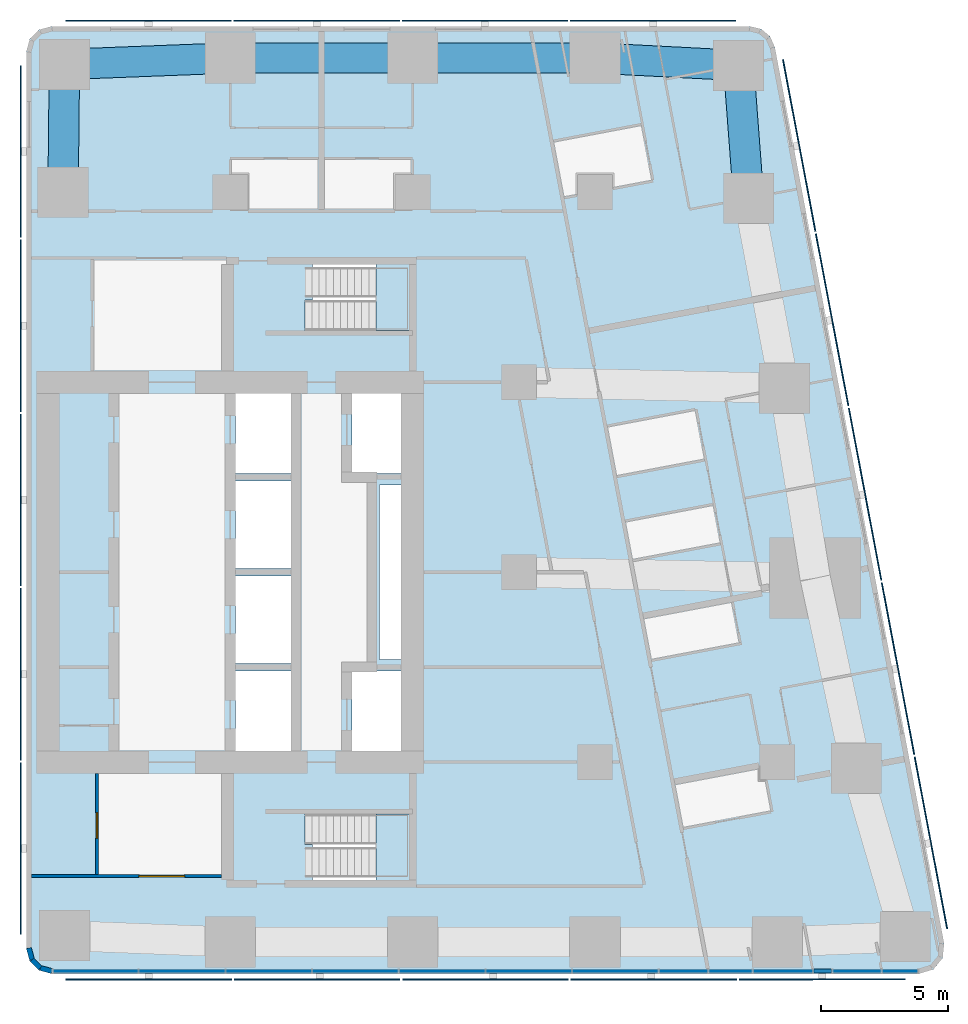
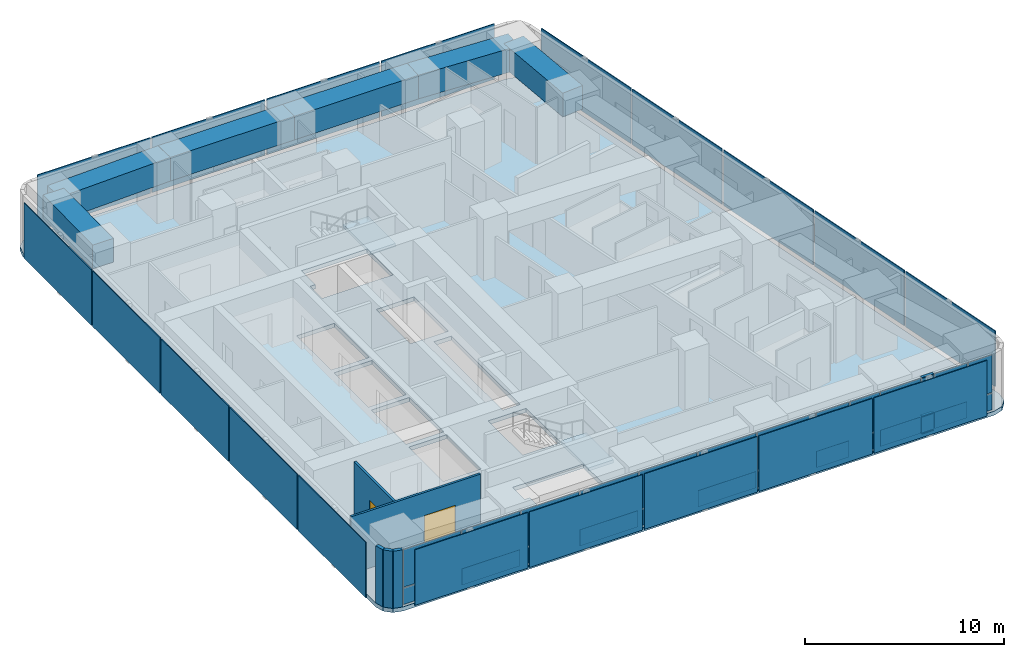
# One storey, part 4 of 11: 45 plates, 6 beams, 5 walls, 3 members, 3 slabs, 2 doors, 2 openings, 3 elements without a shape of their own.
"""IFC4 building model written with IfcOpenShell, lengths in metres."""

from ifc_helpers import new_model, si_unit, direction, frame, frame_2d, origin, origin_2d, place, context, subcontext, project, spatial, polyline, rectangle, outline, extrude, material, layer, layer_set, material_profile, profile_set, type_object, element, fill, aggregate, save


model = new_model("IFC4")

# Units and contexts
model_context = context("Model", 3, precision=1e-05, world=origin(), true_north=direction((0.0, 1.0)))
body_context = subcontext(model_context, "Body", "Model", "MODEL_VIEW")
ifc_project = project(units=[si_unit("LENGTHUNIT", "METRE"), si_unit("AREAUNIT", "SQUARE_METRE"), si_unit("VOLUMEUNIT", "CUBIC_METRE"), si_unit("PLANEANGLEUNIT", "RADIAN"), si_unit("MASSUNIT", "GRAM", prefix="KILO")], contexts=[model_context])

# Site, building, storey
site_placement = place(None, origin())
site = spatial("IfcSite", under=ifc_project, at=site_placement, CompositionType="ELEMENT")
building_placement = place(site_placement, origin())
building = spatial("IfcBuilding", under=site, at=building_placement, Name="Sheger Commons Tower", CompositionType="ELEMENT")
storey_placement = place(building_placement, frame((0.0, 0.0, 259.10009765625)))
storey = spatial("IfcBuildingStorey", under=building, at=storey_placement, Name="L66", CompositionType="ELEMENT", Elevation=259.10009765625)

# Beams
ifc_material_1 = material(Name="Concrete C50/60", Category="concrete")
ifc_material_profile_1 = material_profile(ifc_material_1, rectangle(XDim=1.199951171875, YDim=1.449951171875, at=origin_2d()), Name="RC 1200x1450")
ifc_profile_set_1 = profile_set([ifc_material_profile_1], Name="Concrete C50/60")
beam_type = type_object("IfcBeamType", Name="SPANDREL RC 1200x1450", PredefinedType="SPANDREL", material=ifc_profile_set_1)
beam_1_placement = place(storey_placement, frame((42.06396484375, 37.262939453125, 2.77490234375), z_axis=(-0.075496345854, 0.997146078447, 0.0), x_axis=(-0.997146078447, -0.075496345854, 0.0)))
element("IfcBeam", 1, at=beam_1_placement, inside=storey, type_object=beam_type, Name="Beam E/F-E/G-1.8 under L67", PredefinedType="SPANDREL", context=body_context, shape_type="SweptSolid", body=[
    extrude(rectangle(XDim=1.199951171875, YDim=1.449951171875, at=origin_2d()), origin(), (0.0, 0.0, 1.0), 5.258056640625),
])
beam_2_placement = place(storey_placement, frame((41.6669921875, 42.506103515625, 2.77490234375), z_axis=(-0.998657474351, 0.051800086124, 0.0), x_axis=(-0.051800086124, -0.998657474351, 0.0)))
element("IfcBeam", 2, at=beam_2_placement, inside=storey, type_object=beam_type, Name="Beam E/G-1.8-6/G-1.8 under L67", PredefinedType="SPANDREL", context=body_context, shape_type="SweptSolid", body=[
    extrude(rectangle(XDim=1.199951171875, YDim=1.449951171875, at=origin_2d()), origin(), (0.0, 0.0, 1.0), 5.674560546875),
])
for number, where, z_axis, x_axis, name in (
    (3, (36.0, 42.800048828125, 2.77490234375), (-1.0, 0.0, 0.0), (0.0, -1.0, 0.0), "Beam 6/G-1.8-5/G-1.8 under L67"),
    (4, (28.800048828125, 42.800048828125, 2.77490234375), (-1.0, 0.0, 0.0), (0.0, -1.0, 0.0), "Beam 5/G-1.8-4/G-1.8 under L67"),
):
    element("IfcBeam", number, at=place(storey_placement, frame(where, z_axis=z_axis, x_axis=x_axis)), inside=storey, type_object=beam_type, Name=name, PredefinedType="SPANDREL", context=body_context, shape_type="SweptSolid", body=[
        extrude(rectangle(XDim=1.199951171875, YDim=1.449951171875, at=origin_2d()), origin(), (0.0, 0.0, 1.0), 7.199951171875),
    ])
beam_3_placement = place(storey_placement, frame((21.60009765625, 42.800048828125, 2.77490234375), z_axis=(-0.999247181966, -0.038795223079, 0.0), x_axis=(0.038795223079, -0.999247181966, 0.0)))
element("IfcBeam", 5, at=beam_3_placement, inside=storey, type_object=beam_type, Name="Beam 4/G-1.8-3/G-1.8 under L67", PredefinedType="SPANDREL", context=body_context, shape_type="SweptSolid", body=[
    extrude(rectangle(XDim=1.199951171875, YDim=1.449951171875, at=origin_2d()), origin(), (0.0, 0.0, 1.0), 6.551025390625),
])
beam_4_placement = place(storey_placement, frame((15.053955078125, 42.5458984375, 2.77490234375), z_axis=(-0.010692247282, -0.99994283629, 0.0), x_axis=(0.99994283629, -0.010692247282, 0.0)))
element("IfcBeam", 6, at=beam_4_placement, inside=storey, type_object=beam_type, Name="Beam 3/G-1.8-3/F under L67", PredefinedType="SPANDREL", context=body_context, shape_type="SweptSolid", body=[
    extrude(rectangle(XDim=1.199951171875, YDim=1.449951171875, at=origin_2d()), origin(), (0.0, 0.0, 1.0), 5.046142578125),
])

# Curtain wall, members, plates
ifc_material_2 = material(Name="Black aluminium curtain wall, dark tinted glazing", Category="aluminium")
curtain_wall_type = type_object("IfcCurtainWallType", Name="CURTAIN WALL CW5 SOUTH GALLERY", PredefinedType="USERDEFINED", material=ifc_material_2)
curtain_wall_placement = place(storey_placement, origin())
curtain_wall = element("IfcCurtainWall", 7, at=curtain_wall_placement, inside=storey, type_object=curtain_wall_type, Name="Curtain Wall Cw5 South Gallery S1 L66", ObjectType="UNITISED CURTAIN WALL", PredefinedType="USERDEFINED")
ifc_material_3 = material(Name="Black anodised aluminium", Category="aluminium")
ifc_material_profile_2 = material_profile(ifc_material_3, rectangle(XDim=0.14990234375, YDim=0.06494140625, at=origin_2d()), Name="AL 65x150")
ifc_profile_set_2 = profile_set([ifc_material_profile_2], Name="Black anodised aluminium")
member_type = type_object("IfcMemberType", Name="TRANSOM AL 65x150", PredefinedType="USERDEFINED", material=ifc_profile_set_2)
member_1_placement = place(storey_placement, frame((44.638427734375, 6.75, 0.032470703125), z_axis=(1.0, 0.0, 0.0), x_axis=(0.0, 1.0, 0.0)))
member_1 = element("IfcMember", 8, at=member_1_placement, type_object=member_type, Name="CW5 transom 11.1", ObjectType="TRANSOM", PredefinedType="USERDEFINED", context=body_context, shape_type="SweptSolid", body=[
    extrude(rectangle(XDim=0.14990234375, YDim=0.06494140625, at=origin_2d()), origin(), (0.0, 0.0, 1.0), 0.694091796875),
])
member_2_placement = place(storey_placement, frame((44.638427734375, 6.75, 1.099853515625), z_axis=(1.0, 0.0, 0.0), x_axis=(0.0, 1.0, 0.0)))
member_2 = element("IfcMember", 9, at=member_2_placement, type_object=member_type, Name="CW5 transom 11.2", ObjectType="TRANSOM", PredefinedType="USERDEFINED", context=body_context, shape_type="SweptSolid", body=[
    extrude(rectangle(XDim=0.14990234375, YDim=0.06494140625, at=origin_2d()), origin(), (0.0, 0.0, 1.0), 0.694091796875),
])
member_3_placement = place(storey_placement, frame((44.638427734375, 6.75, 3.46728515625), z_axis=(1.0, 0.0, 0.0), x_axis=(0.0, 1.0, 0.0)))
member_3 = element("IfcMember", 10, at=member_3_placement, type_object=member_type, Name="CW5 transom 11.3", ObjectType="TRANSOM", PredefinedType="USERDEFINED", context=body_context, shape_type="SweptSolid", body=[
    extrude(rectangle(XDim=0.14990234375, YDim=0.06494140625, at=origin_2d()), origin(), (0.0, 0.0, 1.0), 0.694091796875),
])
ifc_material_4 = material(Name="Dark tinted double glazing", Category="glass")
ifc_layer_1 = layer(ifc_material_4, 0.031982421875)
ifc_layer_set_1 = layer_set([ifc_layer_1], Name="GLAZED PANEL 32")
plate_type_1 = type_object("IfcPlateType", Name="GLAZED PANEL 32", PredefinedType="CURTAIN_PANEL", material=ifc_layer_set_1)
plate_1_placement = place(storey_placement, frame((16.290283203125, 6.75, 0.06494140625), z_axis=(0.0, 0.0, 1.0), x_axis=(1.0, 0.0, 0.0)))
plate_1 = element("IfcPlate", 11, at=plate_1_placement, type_object=plate_type_1, Name="CW5 panel 1.1", PredefinedType="CURTAIN_PANEL", context=body_context, shape_type="SweptSolid", body=[
    extrude(rectangle(XDim=3.324462890625, YDim=0.031982421875, at=origin_2d()), origin(), (0.0, 0.0, 1.0), 1.00244140625),
])
plate_2_placement = place(storey_placement, frame((16.290283203125, 6.75, 1.13232421875), z_axis=(0.0, 0.0, 1.0), x_axis=(1.0, 0.0, 0.0)))
plate_2 = element("IfcPlate", 12, at=plate_2_placement, type_object=plate_type_1, Name="CW5 panel 1.2", PredefinedType="CURTAIN_PANEL", context=body_context, shape_type="SweptSolid", body=[
    extrude(rectangle(XDim=3.324462890625, YDim=0.031982421875, at=origin_2d()), origin(), (0.0, 0.0, 1.0), 2.302490234375),
])
plate_3_placement = place(storey_placement, frame((19.696533203125, 6.75, 0.06494140625), z_axis=(0.0, 0.0, 1.0), x_axis=(1.0, 0.0, 0.0)))
plate_3 = element("IfcPlate", 13, at=plate_3_placement, type_object=plate_type_1, Name="CW5 panel 2.1", PredefinedType="CURTAIN_PANEL", context=body_context, shape_type="SweptSolid", body=[
    extrude(rectangle(XDim=3.35791015625, YDim=0.031982421875, at=origin_2d()), origin(), (0.0, 0.0, 1.0), 1.00244140625),
])
plate_4_placement = place(storey_placement, frame((19.696533203125, 6.75, 1.13232421875), z_axis=(0.0, 0.0, 1.0), x_axis=(1.0, 0.0, 0.0)))
plate_4 = element("IfcPlate", 14, at=plate_4_placement, type_object=plate_type_1, Name="CW5 panel 2.2", PredefinedType="CURTAIN_PANEL", context=body_context, shape_type="SweptSolid", body=[
    extrude(rectangle(XDim=3.35791015625, YDim=0.031982421875, at=origin_2d()), origin(), (0.0, 0.0, 1.0), 2.302490234375),
])
plate_5_placement = place(storey_placement, frame((23.118896484375, 6.75, 0.06494140625), z_axis=(0.0, 0.0, 1.0), x_axis=(1.0, 0.0, 0.0)))
plate_5 = element("IfcPlate", 15, at=plate_5_placement, type_object=plate_type_1, Name="CW5 panel 3.1", PredefinedType="CURTAIN_PANEL", context=body_context, shape_type="SweptSolid", body=[
    extrude(rectangle(XDim=3.35693359375, YDim=0.031982421875, at=origin_2d()), origin(), (0.0, 0.0, 1.0), 1.00244140625),
])
plate_6_placement = place(storey_placement, frame((23.118896484375, 6.75, 1.13232421875), z_axis=(0.0, 0.0, 1.0), x_axis=(1.0, 0.0, 0.0)))
plate_6 = element("IfcPlate", 16, at=plate_6_placement, type_object=plate_type_1, Name="CW5 panel 3.2", PredefinedType="CURTAIN_PANEL", context=body_context, shape_type="SweptSolid", body=[
    extrude(rectangle(XDim=3.35693359375, YDim=0.031982421875, at=origin_2d()), origin(), (0.0, 0.0, 1.0), 2.302490234375),
])
plate_7_placement = place(storey_placement, frame((26.54150390625, 6.75, 0.06494140625), z_axis=(0.0, 0.0, 1.0), x_axis=(1.0, 0.0, 0.0)))
plate_7 = element("IfcPlate", 17, at=plate_7_placement, type_object=plate_type_1, Name="CW5 panel 4.1", PredefinedType="CURTAIN_PANEL", context=body_context, shape_type="SweptSolid", body=[
    extrude(rectangle(XDim=3.35791015625, YDim=0.031982421875, at=origin_2d()), origin(), (0.0, 0.0, 1.0), 1.00244140625),
])
plate_8_placement = place(storey_placement, frame((26.54150390625, 6.75, 1.13232421875), z_axis=(0.0, 0.0, 1.0), x_axis=(1.0, 0.0, 0.0)))
plate_8 = element("IfcPlate", 18, at=plate_8_placement, type_object=plate_type_1, Name="CW5 panel 4.2", PredefinedType="CURTAIN_PANEL", context=body_context, shape_type="SweptSolid", body=[
    extrude(rectangle(XDim=3.35791015625, YDim=0.031982421875, at=origin_2d()), origin(), (0.0, 0.0, 1.0), 2.302490234375),
])
plate_9_placement = place(storey_placement, frame((29.964111328125, 6.75, 0.06494140625), z_axis=(0.0, 0.0, 1.0), x_axis=(1.0, 0.0, 0.0)))
plate_9 = element("IfcPlate", 19, at=plate_9_placement, type_object=plate_type_1, Name="CW5 panel 5.1", PredefinedType="CURTAIN_PANEL", context=body_context, shape_type="SweptSolid", body=[
    extrude(rectangle(XDim=3.35693359375, YDim=0.031982421875, at=origin_2d()), origin(), (0.0, 0.0, 1.0), 1.00244140625),
])
plate_10_placement = place(storey_placement, frame((29.964111328125, 6.75, 1.13232421875), z_axis=(0.0, 0.0, 1.0), x_axis=(1.0, 0.0, 0.0)))
plate_10 = element("IfcPlate", 20, at=plate_10_placement, type_object=plate_type_1, Name="CW5 panel 5.2", PredefinedType="CURTAIN_PANEL", context=body_context, shape_type="SweptSolid", body=[
    extrude(rectangle(XDim=3.35693359375, YDim=0.031982421875, at=origin_2d()), origin(), (0.0, 0.0, 1.0), 2.302490234375),
])
plate_11_placement = place(storey_placement, frame((33.385986328125, 6.75, 0.06494140625), z_axis=(0.0, 0.0, 1.0), x_axis=(1.0, 0.0, 0.0)))
plate_11 = element("IfcPlate", 21, at=plate_11_placement, type_object=plate_type_1, Name="CW5 panel 6.1", PredefinedType="CURTAIN_PANEL", context=body_context, shape_type="SweptSolid", body=[
    extrude(rectangle(XDim=3.35693359375, YDim=0.031982421875, at=origin_2d()), origin(), (0.0, 0.0, 1.0), 1.00244140625),
])
plate_12_placement = place(storey_placement, frame((33.385986328125, 6.75, 1.13232421875), z_axis=(0.0, 0.0, 1.0), x_axis=(1.0, 0.0, 0.0)))
plate_12 = element("IfcPlate", 22, at=plate_12_placement, type_object=plate_type_1, Name="CW5 panel 6.2", PredefinedType="CURTAIN_PANEL", context=body_context, shape_type="SweptSolid", body=[
    extrude(rectangle(XDim=3.35693359375, YDim=0.031982421875, at=origin_2d()), origin(), (0.0, 0.0, 1.0), 2.302490234375),
])
plate_13_placement = place(storey_placement, frame((36.80859375, 6.75, 0.06494140625), z_axis=(0.0, 0.0, 1.0), x_axis=(1.0, 0.0, 0.0)))
plate_13 = element("IfcPlate", 23, at=plate_13_placement, type_object=plate_type_1, Name="CW5 panel 7.1", PredefinedType="CURTAIN_PANEL", context=body_context, shape_type="SweptSolid", body=[
    extrude(rectangle(XDim=3.35791015625, YDim=0.031982421875, at=origin_2d()), origin(), (0.0, 0.0, 1.0), 1.00244140625),
])
plate_14_placement = place(storey_placement, frame((36.80859375, 6.75, 1.13232421875), z_axis=(0.0, 0.0, 1.0), x_axis=(1.0, 0.0, 0.0)))
plate_14 = element("IfcPlate", 24, at=plate_14_placement, type_object=plate_type_1, Name="CW5 panel 7.2", PredefinedType="CURTAIN_PANEL", context=body_context, shape_type="SweptSolid", body=[
    extrude(rectangle(XDim=3.35791015625, YDim=0.031982421875, at=origin_2d()), origin(), (0.0, 0.0, 1.0), 2.302490234375),
])
plate_15_placement = place(storey_placement, frame((39.4970703125, 6.75, 0.06494140625), z_axis=(0.0, 0.0, 1.0), x_axis=(1.0, 0.0, 0.0)))
plate_15 = element("IfcPlate", 25, at=plate_15_placement, type_object=plate_type_1, Name="CW5 panel 8.1", PredefinedType="CURTAIN_PANEL", context=body_context, shape_type="SweptSolid", body=[
    extrude(rectangle(XDim=1.888916015625, YDim=0.031982421875, at=origin_2d()), origin(), (0.0, 0.0, 1.0), 1.00244140625),
])
plate_16_placement = place(storey_placement, frame((39.4970703125, 6.75, 1.13232421875), z_axis=(0.0, 0.0, 1.0), x_axis=(1.0, 0.0, 0.0)))
plate_16 = element("IfcPlate", 26, at=plate_16_placement, type_object=plate_type_1, Name="CW5 panel 8.2", PredefinedType="CURTAIN_PANEL", context=body_context, shape_type="SweptSolid", body=[
    extrude(rectangle(XDim=1.888916015625, YDim=0.031982421875, at=origin_2d()), origin(), (0.0, 0.0, 1.0), 2.302490234375),
])
plate_17_placement = place(storey_placement, frame((41.35107421875, 6.75, 0.06494140625), z_axis=(0.0, 0.0, 1.0), x_axis=(1.0, 0.0, 0.0)))
plate_17 = element("IfcPlate", 27, at=plate_17_placement, type_object=plate_type_1, Name="CW5 panel 9.1", PredefinedType="CURTAIN_PANEL", context=body_context, shape_type="SweptSolid", body=[
    extrude(rectangle(XDim=1.68896484375, YDim=0.031982421875, at=origin_2d()), origin(), (0.0, 0.0, 1.0), 1.00244140625),
])
plate_18_placement = place(storey_placement, frame((41.35107421875, 6.75, 1.13232421875), z_axis=(0.0, 0.0, 1.0), x_axis=(1.0, 0.0, 0.0)))
plate_18 = element("IfcPlate", 28, at=plate_18_placement, type_object=plate_type_1, Name="CW5 panel 9.2", PredefinedType="CURTAIN_PANEL", context=body_context, shape_type="SweptSolid", body=[
    extrude(rectangle(XDim=1.68896484375, YDim=0.031982421875, at=origin_2d()), origin(), (0.0, 0.0, 1.0), 2.302490234375),
])
plate_19_placement = place(storey_placement, frame((43.4169921875, 6.75, 0.06494140625), z_axis=(0.0, 0.0, 1.0), x_axis=(1.0, 0.0, 0.0)))
plate_19 = element("IfcPlate", 29, at=plate_19_placement, type_object=plate_type_1, Name="CW5 panel 10.1", PredefinedType="CURTAIN_PANEL", context=body_context, shape_type="SweptSolid", body=[
    extrude(rectangle(XDim=2.31298828125, YDim=0.031982421875, at=origin_2d()), origin(), (0.0, 0.0, 1.0), 1.00244140625),
])
plate_20_placement = place(storey_placement, frame((43.4169921875, 6.75, 1.13232421875), z_axis=(0.0, 0.0, 1.0), x_axis=(1.0, 0.0, 0.0)))
plate_20 = element("IfcPlate", 30, at=plate_20_placement, type_object=plate_type_1, Name="CW5 panel 10.2", PredefinedType="CURTAIN_PANEL", context=body_context, shape_type="SweptSolid", body=[
    extrude(rectangle(XDim=2.31298828125, YDim=0.031982421875, at=origin_2d()), origin(), (0.0, 0.0, 1.0), 2.302490234375),
])
plate_21_placement = place(storey_placement, frame((44.985595703125, 6.75, 0.06494140625), z_axis=(0.0, 0.0, 1.0), x_axis=(1.0, 0.0, 0.0)))
plate_21 = element("IfcPlate", 31, at=plate_21_placement, type_object=plate_type_1, Name="CW5 panel 11.1", PredefinedType="CURTAIN_PANEL", context=body_context, shape_type="SweptSolid", body=[
    extrude(rectangle(XDim=0.694091796875, YDim=0.031982421875, at=origin_2d()), origin(), (0.0, 0.0, 1.0), 1.00244140625),
])
plate_22_placement = place(storey_placement, frame((44.985595703125, 6.75, 1.13232421875), z_axis=(0.0, 0.0, 1.0), x_axis=(1.0, 0.0, 0.0)))
plate_22 = element("IfcPlate", 32, at=plate_22_placement, type_object=plate_type_1, Name="CW5 panel 11.2", PredefinedType="CURTAIN_PANEL", context=body_context, shape_type="SweptSolid", body=[
    extrude(rectangle(XDim=0.694091796875, YDim=0.031982421875, at=origin_2d()), origin(), (0.0, 0.0, 1.0), 2.302490234375),
])
plate_23_placement = place(storey_placement, frame((46.342041015625, 6.75, 0.06494140625), z_axis=(0.0, 0.0, 1.0), x_axis=(1.0, 0.0, 0.0)))
plate_23 = element("IfcPlate", 33, at=plate_23_placement, type_object=plate_type_1, Name="CW5 panel 12.1", PredefinedType="CURTAIN_PANEL", context=body_context, shape_type="SweptSolid", body=[
    extrude(rectangle(XDim=1.888916015625, YDim=0.031982421875, at=origin_2d()), origin(), (0.0, 0.0, 1.0), 1.00244140625),
])
plate_24_placement = place(storey_placement, frame((46.342041015625, 6.75, 1.13232421875), z_axis=(0.0, 0.0, 1.0), x_axis=(1.0, 0.0, 0.0)))
plate_24 = element("IfcPlate", 34, at=plate_24_placement, type_object=plate_type_1, Name="CW5 panel 12.2", PredefinedType="CURTAIN_PANEL", context=body_context, shape_type="SweptSolid", body=[
    extrude(rectangle(XDim=1.888916015625, YDim=0.031982421875, at=origin_2d()), origin(), (0.0, 0.0, 1.0), 2.302490234375),
])
plate_25_placement = place(storey_placement, frame((48.036865234375, 6.75, 0.06494140625), z_axis=(0.0, 0.0, 1.0), x_axis=(1.0, 0.0, 0.0)))
plate_25 = element("IfcPlate", 35, at=plate_25_placement, type_object=plate_type_1, Name="CW5 panel 13.1", PredefinedType="CURTAIN_PANEL", context=body_context, shape_type="SweptSolid", body=[
    extrude(rectangle(XDim=1.37060546875, YDim=0.031982421875, at=origin_2d()), origin(), (0.0, 0.0, 1.0), 1.00244140625),
])
plate_26_placement = place(storey_placement, frame((48.036865234375, 6.75, 1.13232421875), z_axis=(0.0, 0.0, 1.0), x_axis=(1.0, 0.0, 0.0)))
plate_26 = element("IfcPlate", 36, at=plate_26_placement, type_object=plate_type_1, Name="CW5 panel 13.2", PredefinedType="CURTAIN_PANEL", context=body_context, shape_type="SweptSolid", body=[
    extrude(rectangle(XDim=1.37060546875, YDim=0.031982421875, at=origin_2d()), origin(), (0.0, 0.0, 1.0), 2.302490234375),
])
aggregate(curtain_wall, [plate_1, plate_2, plate_3, plate_4, plate_5, plate_6, plate_7, plate_8, plate_9, plate_10, plate_11, plate_12, plate_13, plate_14, plate_15, plate_16, plate_17, plate_18, plate_19, plate_20, member_1, member_2, member_3, plate_21, plate_22, plate_23, plate_24, plate_25, plate_26])

# Slab
ifc_material_5 = material(Name="Concrete C35/45", Category="concrete")
ifc_layer_2 = layer(ifc_material_5, 0.25)
ifc_layer_set_2 = layer_set([ifc_layer_2], Name="SLAB FLOOR 250")
slab_type_1 = type_object("IfcSlabType", Name="SLAB FLOOR 250", PredefinedType="FLOOR", material=ifc_layer_set_2)
slab_1_placement = place(storey_placement, frame((0.0, 0.0, -0.25)))
element("IfcSlab", 37, at=slab_1_placement, inside=storey, type_object=slab_type_1, Name="L66 floor slab", PredefinedType="FLOOR", context=body_context, shape_type="SweptSolid", body=[
    extrude(outline(polyline([(13.550048828125, 7.64990234375), (13.68408203125, 7.14990234375), (14.050048828125, 6.783935546875), (14.550048828125, 6.64990234375), (48.802001953125, 6.64990234375), (49.35498046875, 6.81689453125), (49.72412109375, 7.260986328125), (49.784912109375, 7.8359375), (43.097900390625, 43.236083984375), (42.912109375, 43.654052734375), (42.56005859375, 43.945068359375), (42.114990234375, 44.050048828125), (14.550048828125, 44.050048828125), (14.050048828125, 43.916015625), (13.68408203125, 43.550048828125), (13.550048828125, 43.050048828125), (13.550048828125, 7.64990234375)]), holes=[polyline([(24.85009765625, 10.35009765625), (28.64990234375, 10.35009765625), (28.64990234375, 12.949951171875), (24.551025390625, 12.949951171875), (24.551025390625, 11.75), (24.85009765625, 11.75), (24.85009765625, 10.35009765625)]), polyline([(24.551025390625, 32.050048828125), (28.64990234375, 32.050048828125), (28.64990234375, 34.64990234375), (24.85009765625, 34.64990234375), (24.85009765625, 33.25), (24.551025390625, 33.25), (24.551025390625, 32.050048828125)]), polyline([(26.39990234375, 15.14990234375), (28.60009765625, 15.14990234375), (28.60009765625, 18.60009765625), (26.39990234375, 18.60009765625), (26.39990234375, 15.14990234375)]), polyline([(26.39990234375, 26.39990234375), (28.60009765625, 26.39990234375), (28.60009765625, 29.85009765625), (26.39990234375, 29.85009765625), (26.39990234375, 26.39990234375)]), polyline([(21.800048828125, 15.14990234375), (24.0, 15.14990234375), (24.0, 18.60009765625), (21.800048828125, 18.60009765625), (21.800048828125, 15.14990234375)]), polyline([(21.800048828125, 18.89990234375), (24.0, 18.89990234375), (24.0, 22.35009765625), (21.800048828125, 22.35009765625), (21.800048828125, 18.89990234375)]), polyline([(21.800048828125, 22.64990234375), (24.0, 22.64990234375), (24.0, 26.10009765625), (21.800048828125, 26.10009765625), (21.800048828125, 22.64990234375)]), polyline([(21.800048828125, 26.39990234375), (24.0, 26.39990234375), (24.0, 29.85009765625), (21.800048828125, 29.85009765625), (21.800048828125, 26.39990234375)]), polyline([(27.5, 19.050048828125), (28.5, 19.050048828125), (28.5, 25.949951171875), (27.5, 25.949951171875), (27.5, 19.050048828125)])]), origin(), (0.0, 0.0, 1.0), 0.25),
])

# Plates
ifc_material_6 = material(Name="Perforated black anodised aluminium screen", Category="aluminium")
ifc_layer_3 = layer(ifc_material_6, 0.050048828125)
ifc_layer_set_3 = layer_set([ifc_layer_3], Name="SOLAR SCREEN SCREEN-1")
plate_type_2 = type_object("IfcPlateType", Name="SOLAR SCREEN SCREEN-1", PredefinedType="USERDEFINED", material=ifc_layer_set_3)
for number, where, z_axis, x_axis, name in (
    (38, (18.375, 6.425048828125, 0.050048828125), (0.0, 0.0, 1.0), (1.0, 0.0, 0.0), "Perforated solar screen panel"),
    (39, (25.02587890625, 6.425048828125, 0.050048828125), (0.0, 0.0, 1.0), (1.0, 0.0, 0.0), "Perforated solar screen panel"),
    (40, (31.676025390625, 6.425048828125, 0.050048828125), (0.0, 0.0, 1.0), (1.0, 0.0, 0.0), "Perforated solar screen panel"),
    (41, (38.325927734375, 6.425048828125, 0.050048828125), (0.0, 0.0, 1.0), (1.0, 0.0, 0.0), "Perforated solar screen panel"),
    (42, (44.97705078125, 6.425048828125, 0.050048828125), (0.0, 0.0, 1.0), (1.0, 0.0, 0.0), "Perforated solar screen panel"),
):
    element("IfcPlate", number, at=place(storey_placement, frame(where, z_axis=z_axis, x_axis=x_axis)), inside=storey, type_object=plate_type_2, Name=name, ObjectType="SCREEN", PredefinedType="USERDEFINED", context=body_context, shape_type="SweptSolid", body=[
        extrude(rectangle(XDim=6.550048828125, YDim=0.050048828125, at=origin_2d()), origin(), (0.0, 0.0, 1.0), 3.39990234375),
    ])
for number, where, z_axis, x_axis, name in (
    (43, (49.262939453125, 11.81103515625, 0.050048828125), (0.0, 0.0, 1.0), (-0.185615165645, 0.982622516678, 0.0), "Perforated solar screen panel"),
    (44, (47.962890625, 18.694091796875, 0.050048828125), (0.0, 0.0, 1.0), (-0.185615165645, 0.982622516678, 0.0), "Perforated solar screen panel"),
    (45, (46.6630859375, 25.577880859375, 0.050048828125), (0.0, 0.0, 1.0), (-0.185615165645, 0.982622516678, 0.0), "Perforated solar screen panel"),
    (46, (45.362060546875, 32.4609375, 0.050048828125), (0.0, 0.0, 1.0), (-0.185615165645, 0.982622516678, 0.0), "Perforated solar screen panel"),
    (47, (44.06201171875, 39.344970703125, 0.050048828125), (0.0, 0.0, 1.0), (-0.185615165645, 0.982622516678, 0.0), "Perforated solar screen panel"),
):
    element("IfcPlate", number, at=place(storey_placement, frame(where, z_axis=z_axis, x_axis=x_axis)), inside=storey, type_object=plate_type_2, Name=name, ObjectType="SCREEN", PredefinedType="USERDEFINED", context=body_context, shape_type="SweptSolid", body=[
        extrude(rectangle(XDim=6.905029296875, YDim=0.050048828125, at=origin_2d()), origin(), (0.0, 0.0, 1.0), 3.39990234375),
    ])
for number, where, z_axis, x_axis, name in (
    (48, (38.2939453125, 44.27490234375, 0.050048828125), (0.0, 0.0, 1.0), (-1.0, 0.0, 0.0), "Perforated solar screen panel"),
    (49, (31.653076171875, 44.27490234375, 0.050048828125), (0.0, 0.0, 1.0), (-1.0, 0.0, 0.0), "Perforated solar screen panel"),
    (50, (25.011962890625, 44.27490234375, 0.050048828125), (0.0, 0.0, 1.0), (-1.0, 0.0, 0.0), "Perforated solar screen panel"),
    (51, (18.37109375, 44.27490234375, 0.050048828125), (0.0, 0.0, 1.0), (-1.0, 0.0, 0.0), "Perforated solar screen panel"),
):
    element("IfcPlate", number, at=place(storey_placement, frame(where, z_axis=z_axis, x_axis=x_axis)), inside=storey, type_object=plate_type_2, Name=name, ObjectType="SCREEN", PredefinedType="USERDEFINED", context=body_context, shape_type="SweptSolid", body=[
        extrude(rectangle(XDim=6.541015625, YDim=0.050048828125, at=origin_2d()), origin(), (0.0, 0.0, 1.0), 3.39990234375),
    ])
for number, where, z_axis, x_axis, name in (
    (52, (13.324951171875, 39.110107421875, 0.050048828125), (0.0, 0.0, 1.0), (0.0, -1.0, 0.0), "Perforated solar screen panel"),
    (53, (13.324951171875, 32.22998046875, 0.050048828125), (0.0, 0.0, 1.0), (0.0, -1.0, 0.0), "Perforated solar screen panel"),
    (54, (13.324951171875, 25.35009765625, 0.050048828125), (0.0, 0.0, 1.0), (0.0, -1.0, 0.0), "Perforated solar screen panel"),
    (55, (13.324951171875, 18.469970703125, 0.050048828125), (0.0, 0.0, 1.0), (0.0, -1.0, 0.0), "Perforated solar screen panel"),
    (56, (13.324951171875, 11.590087890625, 0.050048828125), (0.0, 0.0, 1.0), (0.0, -1.0, 0.0), "Perforated solar screen panel"),
):
    element("IfcPlate", number, at=place(storey_placement, frame(where, z_axis=z_axis, x_axis=x_axis)), inside=storey, type_object=plate_type_2, Name=name, ObjectType="SCREEN", PredefinedType="USERDEFINED", context=body_context, shape_type="SweptSolid", body=[
        extrude(rectangle(XDim=6.780029296875, YDim=0.050048828125, at=origin_2d()), origin(), (0.0, 0.0, 1.0), 3.39990234375),
    ])

# Stair, slab
ifc_material_7 = material(Name="Concrete C35/45", Category="concrete")
stair_type = type_object("IfcStairType", Name="HALF-TURN STAIR 1200 RISE 3750", PredefinedType="HALF_TURN_STAIR", material=ifc_material_7)
stair_1_placement = place(storey_placement, origin())
stair_1 = element("IfcStair", 57, at=stair_1_placement, inside=storey, type_object=stair_type, Name="Stair S1 L66", PredefinedType="HALF_TURN_STAIR")
ifc_material_8 = material(Name="Concrete C35/45", Category="concrete")
ifc_layer_4 = layer(ifc_material_8, 0.199951171875)
ifc_layer_set_4 = layer_set([ifc_layer_4], Name="STAIR LANDING 200")
slab_type_2 = type_object("IfcSlabType", Name="STAIR LANDING 200", PredefinedType="LANDING", material=ifc_layer_set_4)
slab_2_placement = place(storey_placement, frame((0.0, 0.0, 1.6748046875)))
slab_2 = element("IfcSlab", 58, at=slab_2_placement, type_object=slab_type_2, Name="S1 landing 1", PredefinedType="LANDING", context=body_context, shape_type="SweptSolid", body=[
    extrude(outline(polyline([(27.35009765625, 10.199951171875), (28.800048828125, 10.199951171875), (28.800048828125, 12.949951171875), (27.35009765625, 12.949951171875), (27.35009765625, 10.199951171875)])), origin(), (0.0, 0.0, 1.0), 0.2001953125),
])
aggregate(stair_1, [slab_2])

stair_2_placement = place(storey_placement, origin())
stair_2 = element("IfcStair", 59, at=stair_2_placement, inside=storey, type_object=stair_type, Name="Stair S2 L66", PredefinedType="HALF_TURN_STAIR")
slab_3_placement = place(storey_placement, frame((0.0, 0.0, 1.6748046875)))
slab_3 = element("IfcSlab", 60, at=slab_3_placement, type_object=slab_type_2, Name="S2 landing 1", PredefinedType="LANDING", context=body_context, shape_type="SweptSolid", body=[
    extrude(outline(polyline([(27.35009765625, 32.050048828125), (28.800048828125, 32.050048828125), (28.800048828125, 34.800048828125), (27.35009765625, 34.800048828125), (27.35009765625, 32.050048828125)])), origin(), (0.0, 0.0, 1.0), 0.2001953125),
])
aggregate(stair_2, [slab_3])

# Walls
ifc_material_9 = material(Name="Rendered concrete block masonry, dark grey", Category="masonry")
ifc_layer_5 = layer(ifc_material_9, 0.199951171875)
ifc_layer_set_5 = layer_set([ifc_layer_5], Name="FACADE WALL 200")
wall_type_1 = type_object("IfcWallType", Name="FACADE WALL 200", PredefinedType="SOLIDWALL", material=ifc_layer_set_5)
wall_1_placement = place(storey_placement, frame((13.64990234375, 7.6630859375, 0.0), z_axis=(0.0, 0.0, 1.0), x_axis=(0.259698463175, -0.965689757751, 0.0)))
element("IfcWall", 61, at=wall_1_placement, inside=storey, type_object=wall_type_1, Name="Facade wall L66", PredefinedType="SOLIDWALL", context=body_context, shape_type="SweptSolid", body=[
    extrude(rectangle(XDim=0.4775390625, YDim=0.199951171875, at=frame_2d((0.23876953125, 0.0))), origin(), (0.0, 0.0, 1.0), 3.5),
])
wall_2_placement = place(storey_placement, frame((13.77392578125, 7.201904296875, 0.0), z_axis=(0.0, 0.0, 1.0), x_axis=(0.707369890659, -0.706843573776, 0.0)))
element("IfcWall", 62, at=wall_2_placement, inside=storey, type_object=wall_type_1, Name="Facade wall L66", PredefinedType="SOLIDWALL", context=body_context, shape_type="SweptSolid", body=[
    extrude(rectangle(XDim=0.4638671875, YDim=0.199951171875, at=frame_2d((0.23193359375, 0.0))), origin(), (0.0, 0.0, 1.0), 3.5),
])
wall_3_placement = place(storey_placement, frame((14.10205078125, 6.8740234375, 0.0), z_axis=(0.0, 0.0, 1.0), x_axis=(0.965655254015, -0.259826731483, 0.0)))
element("IfcWall", 63, at=wall_3_placement, inside=storey, type_object=wall_type_1, Name="Facade wall L66", PredefinedType="SOLIDWALL", context=body_context, shape_type="SweptSolid", body=[
    extrude(rectangle(XDim=0.477294921875, YDim=0.199951171875, at=frame_2d((0.23876953125, 0.0))), origin(), (0.0, 0.0, 1.0), 3.5),
])

# Wall, opening, door
ifc_material_10 = material(Name="Gypsum board on steel studs, two layers each side, fire rated", Category="steel")
ifc_layer_6 = layer(ifc_material_10, 0.125)
ifc_layer_set_6 = layer_set([ifc_layer_6], Name="SERVICE WALL 125")
wall_type_2 = type_object("IfcWallType", Name="SERVICE WALL 125", PredefinedType="PARTITIONING", material=ifc_layer_set_6)
wall_4_placement = place(storey_placement, frame((13.75, 10.5, 0.0), z_axis=(0.0, 0.0, 1.0), x_axis=(1.0, 0.0, 0.0)))
wall_4 = element("IfcWall", 64, at=wall_4_placement, inside=storey, type_object=wall_type_2, Name="Service room wall L66", PredefinedType="PARTITIONING", context=body_context, shape_type="SweptSolid", body=[
    extrude(rectangle(XDim=7.5, YDim=0.125, at=frame_2d((3.75, 0.0))), origin(), (0.0, 0.0, 1.0), 3.5),
])
opening_1_placement = place(wall_4_placement, frame((4.2451171875, 0.0, 0.0)))
opening_1 = element("IfcOpeningElement", 65, at=opening_1_placement, cuts=wall_4, Name="Opening D6", PredefinedType="OPENING", context=body_context, shape_type="SweptSolid", body=[
    extrude(rectangle(XDim=1.800048828125, YDim=2.10009765625, at=frame_2d((0.89990234375, 1.050048828125))), frame((0.0, 0.072509765625, 0.0), z_axis=(0.0, -1.0, 0.0), x_axis=(1.0, 0.0, 0.0)), (0.0, 0.0, 1.0), 0.14501953125),
])
ifc_material_11 = material(Name="Steel door set, fire rated", Category="steel")
door_type_1 = type_object("IfcDoorType", Name="LOBBY DOUBLE DOOR 1800x2100", OperationType="DOUBLE_DOOR_SINGLE_SWING", PredefinedType="DOOR", material=ifc_material_11)
door_1_placement = place(opening_1_placement, origin())
door_1 = element("IfcDoor", 66, at=door_1_placement, inside=storey, type_object=door_type_1, Name="Lift lobby south door", OperationType="DOUBLE_DOOR_SINGLE_SWING", OverallHeight=2.10009765625, OverallWidth=1.800048828125, PredefinedType="DOOR", context=body_context, shape_type="SweptSolid", body=[
    extrude(rectangle(XDim=1.800048828125, YDim=2.10009765625, at=frame_2d((0.89990234375, 1.050048828125))), frame((0.0, 0.02490234375, 0.0), z_axis=(0.0, -1.0, 0.0), x_axis=(1.0, 0.0, 0.0)), (0.0, 0.0, 1.0), 0.050048828125),
])
fill(opening_1, door_1)

wall_5_placement = place(storey_placement, frame((16.340087890625, 10.56201171875, 0.0), z_axis=(0.0, 0.0, 1.0), x_axis=(0.0, 1.0, 0.0)))
wall_5 = element("IfcWall", 67, at=wall_5_placement, inside=storey, type_object=wall_type_2, Name="Service room wall L66", PredefinedType="PARTITIONING", context=body_context, shape_type="SweptSolid", body=[
    extrude(rectangle(XDim=3.988037109375, YDim=0.125, at=frame_2d((1.994140625, 0.0))), origin(), (0.0, 0.0, 1.0), 3.5),
])
opening_2_placement = place(wall_5_placement, frame((1.43798828125, 0.0, 0.0)))
opening_2 = element("IfcOpeningElement", 68, at=opening_2_placement, cuts=wall_5, Name="Opening D4", PredefinedType="OPENING", context=body_context, shape_type="SweptSolid", body=[
    extrude(rectangle(XDim=1.0, YDim=2.10009765625, at=frame_2d((0.5, 1.050048828125))), frame((0.0, 0.072509765625, 0.0), z_axis=(0.0, -1.0, 0.0), x_axis=(1.0, 0.0, 0.0)), (0.0, 0.0, 1.0), 0.14501953125),
])
ifc_material_12 = material(Name="Steel door set, fire rated", Category="steel")
door_type_2 = type_object("IfcDoorType", Name="SERVICE DOOR 1000x2100", OperationType="NOTDEFINED", PredefinedType="DOOR", material=ifc_material_12)
door_2_placement = place(opening_2_placement, origin())
door_2 = element("IfcDoor", 69, at=door_2_placement, inside=storey, type_object=door_type_2, Name="Electrical room door", OperationType="SINGLE_SWING_LEFT", OverallHeight=2.10009765625, OverallWidth=1.0, PredefinedType="DOOR", context=body_context, shape_type="SweptSolid", body=[
    extrude(rectangle(XDim=1.0, YDim=2.10009765625, at=frame_2d((0.5, 1.050048828125))), frame((0.0, 0.02490234375, 0.0), z_axis=(0.0, -1.0, 0.0), x_axis=(1.0, 0.0, 0.0)), (0.0, 0.0, 1.0), 0.050048828125),
])
fill(opening_2, door_2)

save(model, "model.ifc")
